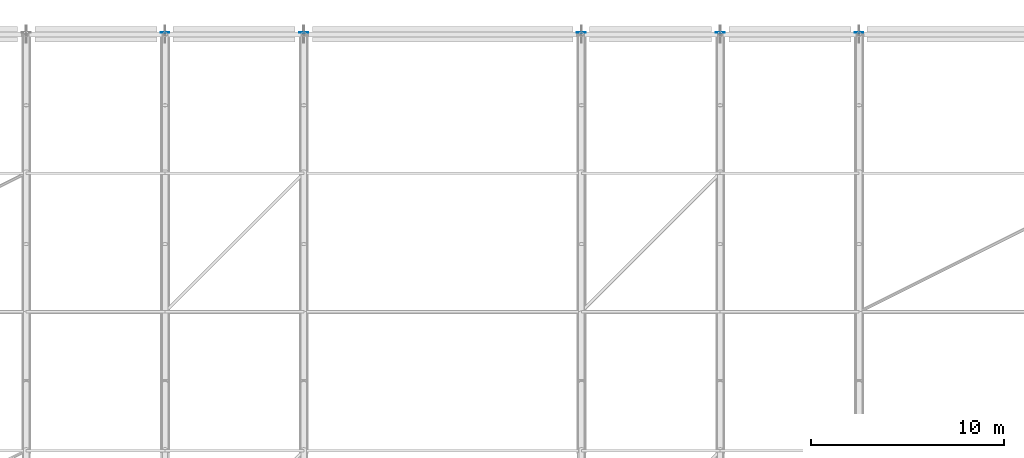
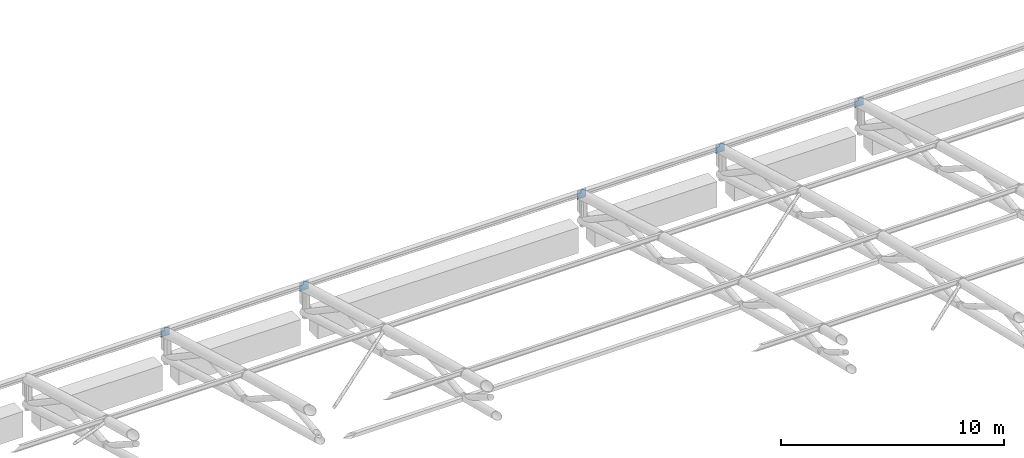
# One storey, part 133 of 193: 5 plates.
"""IFC4 building model written with IfcOpenShell, lengths in metres."""

from ifc_helpers import new_model, si_unit, direction, frame, origin, origin_2d, place, context, subcontext, project, spatial, rectangle, extrude, material, layer, layer_set, type_object, element, save


model = new_model("IFC4")

# Units and contexts
model_context = context("Model", 3, precision=1e-05, world=origin(), true_north=direction((0.0, 1.0)))
body_context = subcontext(model_context, "Body", "Model", "MODEL_VIEW")
ifc_project = project(units=[si_unit("LENGTHUNIT", "METRE"), si_unit("AREAUNIT", "SQUARE_METRE"), si_unit("VOLUMEUNIT", "CUBIC_METRE"), si_unit("PLANEANGLEUNIT", "RADIAN"), si_unit("MASSUNIT", "GRAM", prefix="KILO")], contexts=[model_context])

# Site, building, storey
site_placement = place(None, origin())
site = spatial("IfcSite", under=ifc_project, at=site_placement, CompositionType="ELEMENT")
building_placement = place(site_placement, origin())
building = spatial("IfcBuilding", under=site, at=building_placement, Name="Cendralis Lancet Convention Centre", CompositionType="ELEMENT")
storey_placement = place(building_placement, frame((0.0, 0.0, 10.199951171875)))
storey = spatial("IfcBuildingStorey", under=building, at=storey_placement, Name="L02", CompositionType="ELEMENT", Elevation=10.199951171875)

# Plates
ifc_material = material(Name="Steel S355", Category="steel")
ifc_layer = layer(ifc_material, 0.02001953125, Name="Steel S355")
ifc_layer_set = layer_set([ifc_layer], Name="Steel S355")
plate_type = type_object("IfcPlateType", Name="STR-PL-EC20", PredefinedType="USERDEFINED", material=ifc_layer_set)
for number, where, z_axis, x_axis, name in (
    (1, (43.199951171875, 136.889892578125, 3.3701171875), (0.0, 0.0, 1.0), (1.0, 0.0, 0.0), "Truss End Cap Plate EC-20 AT-V1-06-CAPN"),
    (2, (50.39990234375, 136.889892578125, 3.3701171875), (0.0, 0.0, 1.0), (1.0, 0.0, 0.0), "Truss End Cap Plate EC-20 AT-V1-07-CAPN"),
    (3, (64.800048828125, 136.889892578125, 3.3701171875), (0.0, 0.0, 1.0), (1.0, 0.0, 0.0), "Truss End Cap Plate EC-20 AT-V1-08-CAPN"),
    (4, (72.0, 136.889892578125, 3.3701171875), (0.0, 0.0, 1.0), (1.0, 0.0, 0.0), "Truss End Cap Plate EC-20 AT-V1-09-CAPN"),
    (5, (79.199951171875, 136.889892578125, 3.3701171875), (0.0, 0.0, 1.0), (1.0, 0.0, 0.0), "Truss End Cap Plate EC-20 AT-V1-10-CAPN"),
):
    element("IfcPlate", number, at=place(storey_placement, frame(where, z_axis=z_axis, x_axis=x_axis)), inside=storey, type_object=plate_type, Name=name, ObjectType="GUSSET PLATE", PredefinedType="USERDEFINED", context=body_context, shape_type="SweptSolid", body=[
        extrude(rectangle(XDim=0.4599609375, YDim=0.02001953125, at=origin_2d()), origin(), (0.0, 0.0, 1.0), 0.4599609375),
    ])

save(model, "model.ifc")
